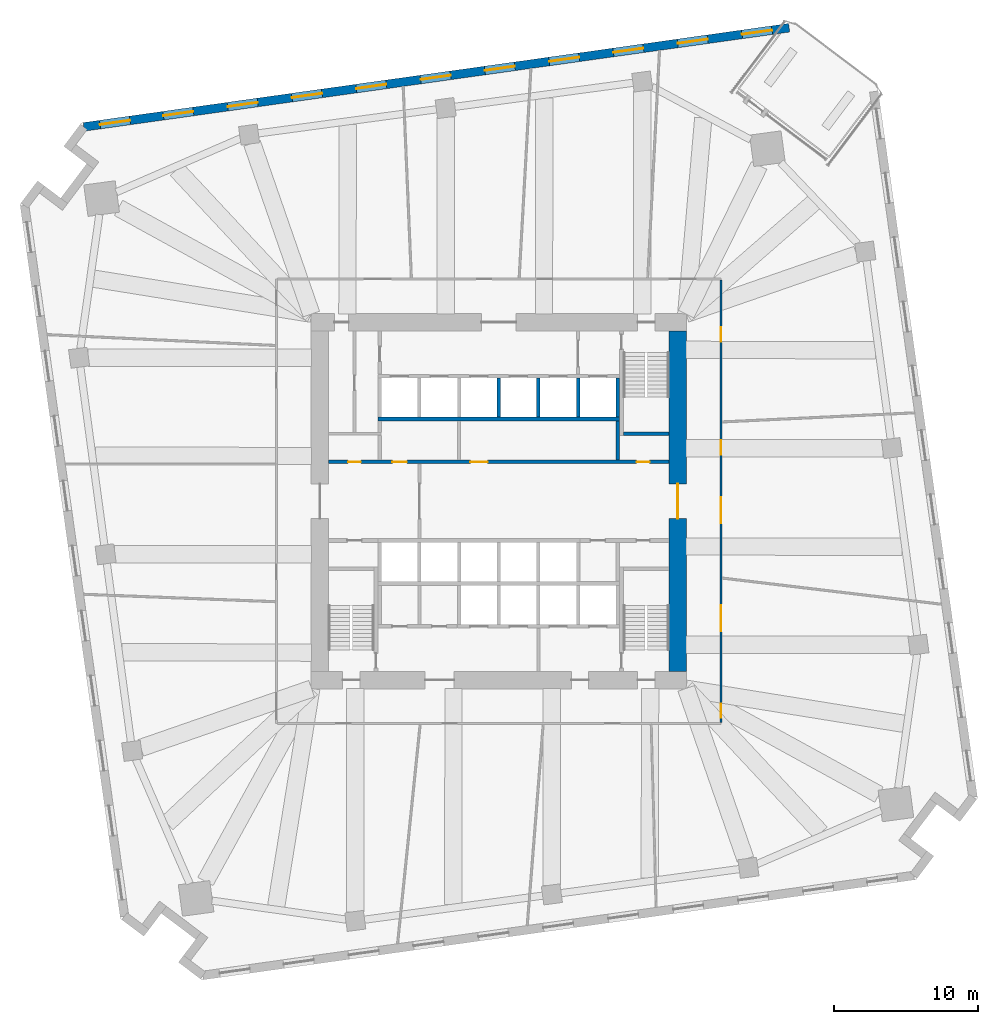
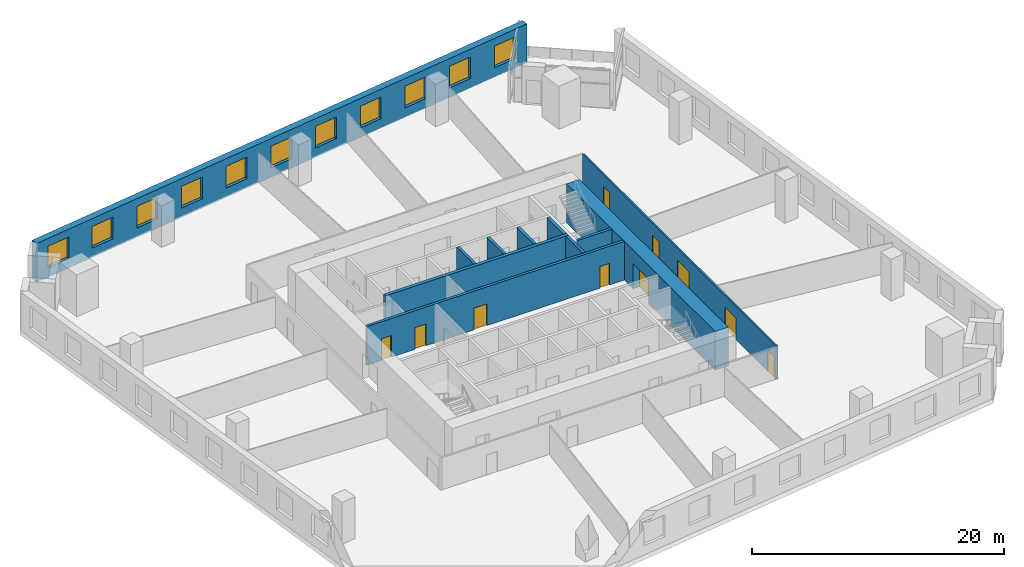
# One storey, part 8 of 12: 11 walls, 11 windows, 10 doors, 21 openings.
"""IFC4 building model written with IfcOpenShell, lengths in metres."""

from ifc_helpers import new_model, si_unit, direction, frame, frame_2d, origin, place, context, subcontext, project, spatial, rectangle, extrude, material, layer, layer_set, type_object, element, fill, save


model = new_model("IFC4")

# Units and contexts
model_context = context("Model", 3, precision=1e-05, world=origin(), true_north=direction((0.0, 1.0)))
body_context = subcontext(model_context, "Body", "Model", "MODEL_VIEW")
ifc_project = project(units=[si_unit("LENGTHUNIT", "METRE"), si_unit("AREAUNIT", "SQUARE_METRE"), si_unit("VOLUMEUNIT", "CUBIC_METRE"), si_unit("PLANEANGLEUNIT", "RADIAN"), si_unit("MASSUNIT", "GRAM", prefix="KILO")], contexts=[model_context])

# Site, building, storey
site_placement = place(None, origin())
site = spatial("IfcSite", under=ifc_project, at=site_placement, CompositionType="ELEMENT")
building_placement = place(site_placement, origin())
building = spatial("IfcBuilding", under=site, at=building_placement, Name="Dilmun Exchange Tower", CompositionType="ELEMENT")
storey_placement = place(building_placement, frame((0.0, 0.0, 51.300048828125)))
storey = spatial("IfcBuildingStorey", under=building, at=storey_placement, Name="L11", CompositionType="ELEMENT", Elevation=51.300048828125)

# Wall, openings, doors
ifc_material_1 = material(Name="Concrete C40/50", Category="concrete")
ifc_layer_1 = layer(ifc_material_1, 0.25)
ifc_layer_set_1 = layer_set([ifc_layer_1], Name="Concrete C40/50")
wall_type_1 = type_object("IfcWallType", Name="Core partition wall 250", PredefinedType="PARTITIONING", material=ifc_layer_set_1)
wall_1_placement = place(storey_placement, frame((-11.794921875, 2.72509765625, 0.0), z_axis=(0.0, 0.0, 1.0), x_axis=(1.0, 0.0, 0.0)))
wall_1 = element("IfcWall", 1, at=wall_1_placement, inside=storey, type_object=wall_type_1, Name="L11 core partition wall 09", PredefinedType="PARTITIONING", context=body_context, shape_type="SweptSolid", body=[
    extrude(rectangle(XDim=23.58984375, YDim=0.25, at=frame_2d((11.794921875, 0.0))), origin(), (0.0, 0.0, 1.0), 3.75),
])
opening_1_placement = place(wall_1_placement, frame((21.344970703125, 0.0, 0.0)))
opening_1 = element("IfcOpeningElement", 2, at=opening_1_placement, cuts=wall_1, Name="Opening CD6", PredefinedType="OPENING", context=body_context, shape_type="SweptSolid", body=[
    extrude(rectangle(XDim=0.89990234375, YDim=2.10009765625, at=frame_2d((0.449951171875, 1.050048828125))), frame((0.0, 0.135009765625, 0.0), z_axis=(0.0, -1.0, 0.0), x_axis=(1.0, 0.0, 0.0)), (0.0, 0.0, 1.0), 0.27001953125),
])
opening_2_placement = place(wall_1_placement, frame((1.344970703125, 0.0, 0.0)))
opening_2 = element("IfcOpeningElement", 3, at=opening_2_placement, cuts=wall_1, Name="Opening CD6", PredefinedType="OPENING", context=body_context, shape_type="SweptSolid", body=[
    extrude(rectangle(XDim=0.89990234375, YDim=2.10009765625, at=frame_2d((0.449951171875, 1.050048828125))), frame((0.0, 0.135009765625, 0.0), z_axis=(0.0, -1.0, 0.0), x_axis=(1.0, 0.0, 0.0)), (0.0, 0.0, 1.0), 0.27001953125),
])
opening_3_placement = place(wall_1_placement, frame((4.419921875, 0.0, 0.0)))
opening_3 = element("IfcOpeningElement", 4, at=opening_3_placement, cuts=wall_1, Name="Opening CD4", PredefinedType="OPENING", context=body_context, shape_type="SweptSolid", body=[
    extrude(rectangle(XDim=1.0, YDim=2.10009765625, at=frame_2d((0.5, 1.050048828125))), frame((0.0, 0.135009765625, 0.0), z_axis=(0.0, -1.0, 0.0), x_axis=(1.0, 0.0, 0.0)), (0.0, 0.0, 1.0), 0.27001953125),
])
opening_4_placement = place(wall_1_placement, frame((9.820068359375, 0.0, 0.0)))
opening_4 = element("IfcOpeningElement", 5, at=opening_4_placement, cuts=wall_1, Name="Opening CD3", PredefinedType="OPENING", context=body_context, shape_type="SweptSolid", body=[
    extrude(rectangle(XDim=1.199951171875, YDim=2.10009765625, at=frame_2d((0.60009765625, 1.050048828125))), frame((0.0, 0.135009765625, 0.0), z_axis=(0.0, -1.0, 0.0), x_axis=(1.0, 0.0, 0.0)), (0.0, 0.0, 1.0), 0.27001953125),
])
ifc_material_2 = material(Name="Fire-rated steel door set", Category="steel")
door_type_1 = type_object("IfcDoorType", Name="Core room door 1000x2100", OperationType="SINGLE_SWING_LEFT", PredefinedType="DOOR", material=ifc_material_2)
door_1_placement = place(opening_3_placement, origin())
door_1 = element("IfcDoor", 6, at=door_1_placement, inside=storey, type_object=door_type_1, Name="L11 door Switch room", OperationType="SINGLE_SWING_RIGHT", OverallHeight=2.10009765625, OverallWidth=1.0, PredefinedType="DOOR", context=body_context, shape_type="SweptSolid", body=[
    extrude(rectangle(XDim=1.0, YDim=2.10009765625, at=frame_2d((0.5, 1.050048828125))), frame((0.0, 0.02490234375, 0.0), z_axis=(0.0, -1.0, 0.0), x_axis=(1.0, 0.0, 0.0)), (0.0, 0.0, 1.0), 0.050048828125),
])
fill(opening_3, door_1)
door_type_2 = type_object("IfcDoorType", Name="Core room door 900x2100", OperationType="SINGLE_SWING_LEFT", PredefinedType="DOOR", material=ifc_material_2)
door_2_placement = place(opening_1_placement, origin())
door_2 = element("IfcDoor", 7, at=door_2_placement, inside=storey, type_object=door_type_2, Name="L11 door Electrical riser", OperationType="SINGLE_SWING_RIGHT", OverallHeight=2.10009765625, OverallWidth=0.89990234375, PredefinedType="DOOR", context=body_context, shape_type="SweptSolid", body=[
    extrude(rectangle(XDim=0.89990234375, YDim=2.10009765625, at=frame_2d((0.449951171875, 1.050048828125))), frame((0.0, 0.02490234375, 0.0), z_axis=(0.0, -1.0, 0.0), x_axis=(1.0, 0.0, 0.0)), (0.0, 0.0, 1.0), 0.050048828125),
])
fill(opening_1, door_2)
door_3_placement = place(opening_2_placement, origin())
door_3 = element("IfcDoor", 8, at=door_3_placement, inside=storey, type_object=door_type_2, Name="L11 door Plumbing riser", OperationType="SINGLE_SWING_RIGHT", OverallHeight=2.10009765625, OverallWidth=0.89990234375, PredefinedType="DOOR", context=body_context, shape_type="SweptSolid", body=[
    extrude(rectangle(XDim=0.89990234375, YDim=2.10009765625, at=frame_2d((0.449951171875, 1.050048828125))), frame((0.0, 0.02490234375, 0.0), z_axis=(0.0, -1.0, 0.0), x_axis=(1.0, 0.0, 0.0)), (0.0, 0.0, 1.0), 0.050048828125),
])
fill(opening_2, door_3)
door_type_3 = type_object("IfcDoorType", Name="Stair exit door 1200x2100", OperationType="SINGLE_SWING_LEFT", PredefinedType="DOOR", material=ifc_material_2)
door_4_placement = place(opening_4_placement, origin())
door_4 = element("IfcDoor", 9, at=door_4_placement, inside=storey, type_object=door_type_3, Name="L11 door Quiet working room", OperationType="SINGLE_SWING_LEFT", OverallHeight=2.10009765625, OverallWidth=1.199951171875, PredefinedType="DOOR", context=body_context, shape_type="SweptSolid", body=[
    extrude(rectangle(XDim=1.199951171875, YDim=2.10009765625, at=frame_2d((0.60009765625, 1.050048828125))), frame((0.0, 0.02490234375, 0.0), z_axis=(0.0, -1.0, 0.0), x_axis=(1.0, 0.0, 0.0)), (0.0, 0.0, 1.0), 0.050048828125),
])
fill(opening_4, door_4)

# Wall
wall_2_placement = place(storey_placement, frame((8.25, 2.85498046875, 0.0), z_axis=(0.0, 0.0, 1.0), x_axis=(0.0, 1.0, 0.0)))
element("IfcWall", 10, at=wall_2_placement, inside=storey, type_object=wall_type_1, Name="L11 core partition wall 12", PredefinedType="PARTITIONING", context=body_context, shape_type="SweptSolid", body=[
    extrude(rectangle(XDim=2.68994140625, YDim=0.25, at=frame_2d((1.344970703125, 0.0))), origin(), (0.0, 0.0, 1.0), 3.75),
])

# Wall, opening, door
ifc_material_3 = material(Name="Concrete C80/95", Category="concrete")
ifc_layer_2 = layer(ifc_material_3, 1.199951171875)
ifc_layer_set_2 = layer_set([ifc_layer_2], Name="Concrete C80/95")
wall_type_2 = type_object("IfcWallType", Name="Core shear wall 1200 Concrete C80/95", PredefinedType="SHEAR", material=ifc_layer_set_2)
wall_3_placement = place(storey_placement, frame((12.39990234375, -11.800048828125, 0.0), z_axis=(0.0, 0.0, 1.0), x_axis=(0.0, 1.0, 0.0)))
wall_3 = element("IfcWall", 11, at=wall_3_placement, inside=storey, type_object=wall_type_2, Name="L11 core shear wall E", PredefinedType="SHEAR", context=body_context, shape_type="SweptSolid", body=[
    extrude(rectangle(XDim=23.60009765625, YDim=1.199951171875, at=frame_2d((11.800048828125, 0.0))), origin(), (0.0, 0.0, 1.0), 3.75),
])
opening_5_placement = place(wall_3_placement, frame((10.60009765625, 0.0, 0.0)))
opening_5 = element("IfcOpeningElement", 12, at=opening_5_placement, cuts=wall_3, Name="Opening CD1", PredefinedType="OPENING", context=body_context, shape_type="SweptSolid", body=[
    extrude(rectangle(XDim=2.39990234375, YDim=2.39990234375, at=frame_2d((1.199951171875, 1.199951171875))), frame((0.0, 0.60986328125, 0.0), z_axis=(0.0, -1.0, 0.0), x_axis=(1.0, 0.0, 0.0)), (0.0, 0.0, 1.0), 1.219970703125),
])
door_type_4 = type_object("IfcDoorType", Name="Core lobby door 2400x2400", OperationType="DOUBLE_DOOR_DOUBLE_SWING", PredefinedType="DOOR", material=ifc_material_2)
door_5_placement = place(opening_5_placement, origin())
door_5 = element("IfcDoor", 13, at=door_5_placement, inside=storey, type_object=door_type_4, Name="L11 door Central lift lobby", OperationType="SINGLE_SWING_LEFT", OverallHeight=2.39990234375, OverallWidth=2.39990234375, PredefinedType="DOOR", context=body_context, shape_type="SweptSolid", body=[
    extrude(rectangle(XDim=2.39990234375, YDim=2.39990234375, at=frame_2d((1.199951171875, 1.199951171875))), frame((0.0, 0.02490234375, 0.0), z_axis=(0.0, -1.0, 0.0), x_axis=(1.0, 0.0, 0.0)), (0.0, 0.0, 1.0), 0.050048828125),
])
fill(opening_5, door_5)

# Wall, openings, doors
ifc_material_4 = material(Name="Corridor wall 150")
ifc_layer_3 = layer(ifc_material_4, 0.14990234375)
ifc_layer_set_3 = layer_set([ifc_layer_3], Name="Corridor wall 150")
wall_type_3 = type_object("IfcWallType", Name="Corridor wall 150", PredefinedType="PARTITIONING", material=ifc_layer_set_3)
wall_4_placement = place(storey_placement, frame((15.39990234375, -15.324951171875, 0.0), z_axis=(0.0, 0.0, 1.0), x_axis=(0.0, 1.0, 0.0)))
wall_4 = element("IfcWall", 14, at=wall_4_placement, inside=storey, type_object=wall_type_3, Name="Corridor wall", PredefinedType="PARTITIONING", context=body_context, shape_type="SweptSolid", body=[
    extrude(rectangle(XDim=30.64990234375, YDim=0.14990234375, at=frame_2d((15.324951171875, 0.0))), origin(), (0.0, 0.0, 1.0), 3.25),
])
opening_6_placement = place(wall_4_placement, frame((26.3681640625, 0.0, 0.0)))
opening_6 = element("IfcOpeningElement", 15, at=opening_6_placement, cuts=wall_4, Name="Opening TF11-D12", PredefinedType="OPENING", context=body_context, shape_type="SweptSolid", body=[
    extrude(rectangle(XDim=1.0, YDim=2.10009765625, at=frame_2d((0.5, 1.050048828125))), frame((0.0, 0.0849609375, 0.0), z_axis=(0.0, -1.0, 0.0), x_axis=(1.0, 0.0, 0.0)), (0.0, 0.0, 1.0), 0.169921875),
])
opening_7_placement = place(wall_4_placement, frame((6.300048828125, 0.0, 0.0)))
opening_7 = element("IfcOpeningElement", 16, at=opening_7_placement, cuts=wall_4, Name="Opening TF11-D13", PredefinedType="OPENING", context=body_context, shape_type="SweptSolid", body=[
    extrude(rectangle(XDim=1.800048828125, YDim=2.10009765625, at=frame_2d((0.89990234375, 1.050048828125))), frame((0.0, 0.0849609375, 0.0), z_axis=(0.0, -1.0, 0.0), x_axis=(1.0, 0.0, 0.0)), (0.0, 0.0, 1.0), 0.169921875),
])
opening_8_placement = place(wall_4_placement, frame((0.300048828125, 0.0, 0.0)))
opening_8 = element("IfcOpeningElement", 17, at=opening_8_placement, cuts=wall_4, Name="Opening TF11-D14", PredefinedType="OPENING", context=body_context, shape_type="SweptSolid", body=[
    extrude(rectangle(XDim=1.0, YDim=2.10009765625, at=frame_2d((0.5, 1.050048828125))), frame((0.0, 0.0849609375, 0.0), z_axis=(0.0, -1.0, 0.0), x_axis=(1.0, 0.0, 0.0)), (0.0, 0.0, 1.0), 0.169921875),
])
opening_9_placement = place(wall_4_placement, frame((13.80615234375, 0.0, 0.0)))
opening_9 = element("IfcOpeningElement", 18, at=opening_9_placement, cuts=wall_4, Name="Opening TF11-D15", PredefinedType="OPENING", context=body_context, shape_type="SweptSolid", body=[
    extrude(rectangle(XDim=1.800048828125, YDim=2.10009765625, at=frame_2d((0.89990234375, 1.050048828125))), frame((0.0, 0.0849609375, 0.0), z_axis=(0.0, -1.0, 0.0), x_axis=(1.0, 0.0, 0.0)), (0.0, 0.0, 1.0), 0.169921875),
])
opening_10_placement = place(wall_4_placement, frame((18.55615234375, 0.0, 0.0)))
opening_10 = element("IfcOpeningElement", 19, at=opening_10_placement, cuts=wall_4, Name="Opening TF11-D16", PredefinedType="OPENING", context=body_context, shape_type="SweptSolid", body=[
    extrude(rectangle(XDim=1.0, YDim=2.10009765625, at=frame_2d((0.5, 1.050048828125))), frame((0.0, 0.0849609375, 0.0), z_axis=(0.0, -1.0, 0.0), x_axis=(1.0, 0.0, 0.0)), (0.0, 0.0, 1.0), 0.169921875),
])
ifc_material_5 = material(Name="Fire door 1000 x 2100")
door_type_5 = type_object("IfcDoorType", Name="Fire door 1000 x 2100", OperationType="NOTDEFINED", PredefinedType="DOOR", material=ifc_material_5)
door_6_placement = place(opening_6_placement, frame((1.0, 0.0, 0.0), z_axis=(0.0, 0.0, 1.0), x_axis=(-1.0, 0.0, 0.0)))
door_6 = element("IfcDoor", 20, at=door_6_placement, inside=storey, type_object=door_type_5, Name="Door TF11-D12", OperationType="SINGLE_SWING_LEFT", OverallHeight=2.10009765625, OverallWidth=1.0, PredefinedType="DOOR", context=body_context, shape_type="SweptSolid", body=[
    extrude(rectangle(XDim=1.0, YDim=2.10009765625, at=frame_2d((0.5, 1.050048828125))), frame((0.0, 0.02490234375, 0.0), z_axis=(0.0, -1.0, 0.0), x_axis=(1.0, 0.0, 0.0)), (0.0, 0.0, 1.0), 0.050048828125),
])
fill(opening_6, door_6)
door_7_placement = place(opening_8_placement, frame((1.0, 0.0, 0.0), z_axis=(0.0, 0.0, 1.0), x_axis=(-1.0, 0.0, 0.0)))
door_7 = element("IfcDoor", 21, at=door_7_placement, inside=storey, type_object=door_type_5, Name="Door TF11-D14", OperationType="SINGLE_SWING_RIGHT", OverallHeight=2.10009765625, OverallWidth=1.0, PredefinedType="DOOR", context=body_context, shape_type="SweptSolid", body=[
    extrude(rectangle(XDim=1.0, YDim=2.10009765625, at=frame_2d((0.5, 1.050048828125))), frame((0.0, 0.02490234375, 0.0), z_axis=(0.0, -1.0, 0.0), x_axis=(1.0, 0.0, 0.0)), (0.0, 0.0, 1.0), 0.050048828125),
])
fill(opening_8, door_7)
door_8_placement = place(opening_10_placement, frame((1.0, 0.0, 0.0), z_axis=(0.0, 0.0, 1.0), x_axis=(-1.0, 0.0, 0.0)))
door_8 = element("IfcDoor", 22, at=door_8_placement, inside=storey, type_object=door_type_5, Name="Door TF11-D16", OperationType="SINGLE_SWING_LEFT", OverallHeight=2.10009765625, OverallWidth=1.0, PredefinedType="DOOR", context=body_context, shape_type="SweptSolid", body=[
    extrude(rectangle(XDim=1.0, YDim=2.10009765625, at=frame_2d((0.5, 1.050048828125))), frame((0.0, 0.02490234375, 0.0), z_axis=(0.0, -1.0, 0.0), x_axis=(1.0, 0.0, 0.0)), (0.0, 0.0, 1.0), 0.050048828125),
])
fill(opening_10, door_8)
ifc_material_6 = material(Name="Fire door pair 1800 x 2100")
door_type_6 = type_object("IfcDoorType", Name="Fire door pair 1800 x 2100", OperationType="NOTDEFINED", PredefinedType="DOOR", material=ifc_material_6)
door_9_placement = place(opening_7_placement, frame((1.800048828125, 0.0, 0.0), z_axis=(0.0, 0.0, 1.0), x_axis=(-1.0, 0.0, 0.0)))
door_9 = element("IfcDoor", 23, at=door_9_placement, inside=storey, type_object=door_type_6, Name="Door TF11-D13", OperationType="DOUBLE_DOOR_SINGLE_SWING", OverallHeight=2.10009765625, OverallWidth=1.800048828125, PredefinedType="DOOR", context=body_context, shape_type="SweptSolid", body=[
    extrude(rectangle(XDim=1.800048828125, YDim=2.10009765625, at=frame_2d((0.89990234375, 1.050048828125))), frame((0.0, 0.02490234375, 0.0), z_axis=(0.0, -1.0, 0.0), x_axis=(1.0, 0.0, 0.0)), (0.0, 0.0, 1.0), 0.050048828125),
])
fill(opening_7, door_9)
door_10_placement = place(opening_9_placement, frame((1.800048828125, 0.0, 0.0), z_axis=(0.0, 0.0, 1.0), x_axis=(-1.0, 0.0, 0.0)))
door_10 = element("IfcDoor", 24, at=door_10_placement, inside=storey, type_object=door_type_6, Name="Door TF11-D15", OperationType="DOUBLE_DOOR_SINGLE_SWING", OverallHeight=2.10009765625, OverallWidth=1.800048828125, PredefinedType="DOOR", context=body_context, shape_type="SweptSolid", body=[
    extrude(rectangle(XDim=1.800048828125, YDim=2.10009765625, at=frame_2d((0.89990234375, 1.050048828125))), frame((0.0, 0.02490234375, 0.0), z_axis=(0.0, -1.0, 0.0), x_axis=(1.0, 0.0, 0.0)), (0.0, 0.0, 1.0), 0.050048828125),
])
fill(opening_9, door_10)

# Walls
ifc_layer_4 = layer(ifc_material_1, 0.300048828125)
ifc_layer_set_4 = layer_set([ifc_layer_4], Name="Concrete C40/50")
wall_type_4 = type_object("IfcWallType", Name="Lift shaft shared wall 300", PredefinedType="SOLIDWALL", material=ifc_layer_set_4)
wall_5_placement = place(storey_placement, frame((-8.375, 5.699951171875, 0.0), z_axis=(0.0, 0.0, 1.0), x_axis=(1.0, 0.0, 0.0)))
element("IfcWall", 25, at=wall_5_placement, inside=storey, type_object=wall_type_4, Name="L11 lift shaft rear wall N", PredefinedType="SOLIDWALL", context=body_context, shape_type="SweptSolid", body=[
    extrude(rectangle(XDim=16.75, YDim=0.300048828125, at=frame_2d((8.375, 0.0))), origin(), (0.0, 0.0, 1.0), 3.75),
])
ifc_layer_5 = layer(ifc_material_1, 0.25)
ifc_layer_set_5 = layer_set([ifc_layer_5], Name="Concrete C40/50")
wall_type_5 = type_object("IfcWallType", Name="Lift shaft wall 250", PredefinedType="SOLIDWALL", material=ifc_layer_set_5)
for number, where, z_axis, x_axis, name in (
    (26, (0.0, 5.85009765625, 0.0), (0.0, 0.0, 1.0), (0.0, 1.0, 0.0), "L11 lift shaft divider N23"),
    (27, (2.75, 5.85009765625, 0.0), (0.0, 0.0, 1.0), (0.0, 1.0, 0.0), "L11 lift shaft divider N24"),
    (28, (5.5, 5.85009765625, 0.0), (0.0, 0.0, 1.0), (0.0, 1.0, 0.0), "L11 lift shaft divider N25"),
    (29, (8.25, 5.85009765625, 0.0), (0.0, 0.0, 1.0), (0.0, 1.0, 0.0), "L11 lift shaft divider N26"),
):
    element("IfcWall", number, at=place(storey_placement, frame(where, z_axis=z_axis, x_axis=x_axis)), inside=storey, type_object=wall_type_5, Name=name, PredefinedType="SOLIDWALL", context=body_context, shape_type="SweptSolid", body=[
        extrude(rectangle(XDim=2.699951171875, YDim=0.25, at=frame_2d((1.35009765625, 0.0))), origin(), (0.0, 0.0, 1.0), 3.75),
    ])

# Wall, openings, windows
ifc_material_7 = material(Name="Precast concrete C50/60", Category="concrete")
ifc_layer_6 = layer(ifc_material_7, 0.60009765625)
ifc_layer_set_6 = layer_set([ifc_layer_6], Name="Precast concrete C50/60")
wall_type_6 = type_object("IfcWallType", Name="Precast stone-clad wall 600", PredefinedType="STANDARD", material=ifc_layer_set_6)
wall_6_placement = place(storey_placement, frame((20.128173828125, 32.82080078125, 0.0), z_axis=(0.0, 0.0, 1.0), x_axis=(-0.990267943129, -0.139173994734, 0.0)))
wall_6 = element("IfcWall", 30, at=wall_6_placement, inside=storey, type_object=wall_type_6, Name="Facade wall L11-03", PredefinedType="STANDARD", context=body_context, shape_type="SweptSolid", body=[
    extrude(rectangle(XDim=49.375732421875, YDim=0.60009765625, at=frame_2d((24.68798828125, 0.0))), origin(), (0.0, 0.0, 1.0), 3.75),
])
opening_11_placement = place(wall_6_placement, frame((1.199951171875, 0.0, 0.89990234375)))
opening_11 = element("IfcOpeningElement", 31, at=opening_11_placement, cuts=wall_6, Name="Opening W210-210", PredefinedType="OPENING", context=body_context, shape_type="SweptSolid", body=[
    extrude(rectangle(XDim=2.10009765625, YDim=2.10009765625, at=frame_2d((1.050048828125, 1.050048828125))), frame((0.0, 0.31005859375, 0.0), z_axis=(0.0, -1.0, 0.0), x_axis=(1.0, 0.0, 0.0)), (0.0, 0.0, 1.0), 0.6201171875),
])
opening_12_placement = place(wall_6_placement, frame((5.699951171875, 0.0, 0.89990234375)))
opening_12 = element("IfcOpeningElement", 32, at=opening_12_placement, cuts=wall_6, Name="Opening W210-210", PredefinedType="OPENING", context=body_context, shape_type="SweptSolid", body=[
    extrude(rectangle(XDim=2.10009765625, YDim=2.10009765625, at=frame_2d((1.050048828125, 1.050048828125))), frame((0.0, 0.31005859375, 0.0), z_axis=(0.0, -1.0, 0.0), x_axis=(1.0, 0.0, 0.0)), (0.0, 0.0, 1.0), 0.6201171875),
])
opening_13_placement = place(wall_6_placement, frame((10.199951171875, 0.0, 0.89990234375)))
opening_13 = element("IfcOpeningElement", 33, at=opening_13_placement, cuts=wall_6, Name="Opening W210-210", PredefinedType="OPENING", context=body_context, shape_type="SweptSolid", body=[
    extrude(rectangle(XDim=2.10009765625, YDim=2.10009765625, at=frame_2d((1.050048828125, 1.050048828125))), frame((0.0, 0.31005859375, 0.0), z_axis=(0.0, -1.0, 0.0), x_axis=(1.0, 0.0, 0.0)), (0.0, 0.0, 1.0), 0.6201171875),
])
opening_14_placement = place(wall_6_placement, frame((14.699951171875, 0.0, 0.89990234375)))
opening_14 = element("IfcOpeningElement", 34, at=opening_14_placement, cuts=wall_6, Name="Opening W210-210", PredefinedType="OPENING", context=body_context, shape_type="SweptSolid", body=[
    extrude(rectangle(XDim=2.10009765625, YDim=2.10009765625, at=frame_2d((1.050048828125, 1.050048828125))), frame((0.0, 0.31005859375, 0.0), z_axis=(0.0, -1.0, 0.0), x_axis=(1.0, 0.0, 0.0)), (0.0, 0.0, 1.0), 0.6201171875),
])
opening_15_placement = place(wall_6_placement, frame((19.199951171875, 0.0, 0.89990234375)))
opening_15 = element("IfcOpeningElement", 35, at=opening_15_placement, cuts=wall_6, Name="Opening W210-210", PredefinedType="OPENING", context=body_context, shape_type="SweptSolid", body=[
    extrude(rectangle(XDim=2.10009765625, YDim=2.10009765625, at=frame_2d((1.050048828125, 1.050048828125))), frame((0.0, 0.31005859375, 0.0), z_axis=(0.0, -1.0, 0.0), x_axis=(1.0, 0.0, 0.0)), (0.0, 0.0, 1.0), 0.6201171875),
])
opening_16_placement = place(wall_6_placement, frame((23.699951171875, 0.0, 0.89990234375)))
opening_16 = element("IfcOpeningElement", 36, at=opening_16_placement, cuts=wall_6, Name="Opening W210-210", PredefinedType="OPENING", context=body_context, shape_type="SweptSolid", body=[
    extrude(rectangle(XDim=2.10009765625, YDim=2.10009765625, at=frame_2d((1.050048828125, 1.050048828125))), frame((0.0, 0.31005859375, 0.0), z_axis=(0.0, -1.0, 0.0), x_axis=(1.0, 0.0, 0.0)), (0.0, 0.0, 1.0), 0.6201171875),
])
opening_17_placement = place(wall_6_placement, frame((28.199951171875, 0.0, 0.89990234375)))
opening_17 = element("IfcOpeningElement", 37, at=opening_17_placement, cuts=wall_6, Name="Opening W210-210", PredefinedType="OPENING", context=body_context, shape_type="SweptSolid", body=[
    extrude(rectangle(XDim=2.10009765625, YDim=2.10009765625, at=frame_2d((1.050048828125, 1.050048828125))), frame((0.0, 0.31005859375, 0.0), z_axis=(0.0, -1.0, 0.0), x_axis=(1.0, 0.0, 0.0)), (0.0, 0.0, 1.0), 0.6201171875),
])
opening_18_placement = place(wall_6_placement, frame((32.699951171875, 0.0, 0.89990234375)))
opening_18 = element("IfcOpeningElement", 38, at=opening_18_placement, cuts=wall_6, Name="Opening W210-210", PredefinedType="OPENING", context=body_context, shape_type="SweptSolid", body=[
    extrude(rectangle(XDim=2.10009765625, YDim=2.10009765625, at=frame_2d((1.050048828125, 1.050048828125))), frame((0.0, 0.31005859375, 0.0), z_axis=(0.0, -1.0, 0.0), x_axis=(1.0, 0.0, 0.0)), (0.0, 0.0, 1.0), 0.6201171875),
])
opening_19_placement = place(wall_6_placement, frame((37.199951171875, 0.0, 0.89990234375)))
opening_19 = element("IfcOpeningElement", 39, at=opening_19_placement, cuts=wall_6, Name="Opening W210-210", PredefinedType="OPENING", context=body_context, shape_type="SweptSolid", body=[
    extrude(rectangle(XDim=2.10009765625, YDim=2.10009765625, at=frame_2d((1.050048828125, 1.050048828125))), frame((0.0, 0.31005859375, 0.0), z_axis=(0.0, -1.0, 0.0), x_axis=(1.0, 0.0, 0.0)), (0.0, 0.0, 1.0), 0.6201171875),
])
opening_20_placement = place(wall_6_placement, frame((41.699951171875, 0.0, 0.89990234375)))
opening_20 = element("IfcOpeningElement", 40, at=opening_20_placement, cuts=wall_6, Name="Opening W210-210", PredefinedType="OPENING", context=body_context, shape_type="SweptSolid", body=[
    extrude(rectangle(XDim=2.10009765625, YDim=2.10009765625, at=frame_2d((1.050048828125, 1.050048828125))), frame((0.0, 0.31005859375, 0.0), z_axis=(0.0, -1.0, 0.0), x_axis=(1.0, 0.0, 0.0)), (0.0, 0.0, 1.0), 0.6201171875),
])
opening_21_placement = place(wall_6_placement, frame((46.137939453125, 0.0, 0.89990234375)))
opening_21 = element("IfcOpeningElement", 41, at=opening_21_placement, cuts=wall_6, Name="Opening W210-210", PredefinedType="OPENING", context=body_context, shape_type="SweptSolid", body=[
    extrude(rectangle(XDim=2.10009765625, YDim=2.10009765625, at=frame_2d((1.050048828125, 1.050048828125))), frame((0.0, 0.31005859375, 0.0), z_axis=(0.0, -1.0, 0.0), x_axis=(1.0, 0.0, 0.0)), (0.0, 0.0, 1.0), 0.6201171875),
])
ifc_material_8 = material(Name="Clear low-emissivity glass in aluminium frame", Category="aluminium")
window_type = type_object("IfcWindowType", Name="Punched window 2100 x 2100", PartitioningType="DOUBLE_PANEL_VERTICAL", PredefinedType="WINDOW", material=ifc_material_8)
window_1_placement = place(opening_11_placement, origin())
window_1 = element("IfcWindow", 42, at=window_1_placement, inside=storey, type_object=window_type, Name="Window 4.1", OverallHeight=2.10009765625, OverallWidth=2.10009765625, PartitioningType="SINGLE_PANEL", PredefinedType="WINDOW", context=body_context, shape_type="SweptSolid", body=[
    extrude(rectangle(XDim=2.10009765625, YDim=2.10009765625, at=frame_2d((1.050048828125, 1.050048828125))), frame((0.0, 0.030029296875, 0.0), z_axis=(0.0, -1.0, 0.0), x_axis=(1.0, 0.0, 0.0)), (0.0, 0.0, 1.0), 0.06005859375),
])
fill(opening_11, window_1)
window_2_placement = place(opening_12_placement, origin())
window_2 = element("IfcWindow", 43, at=window_2_placement, inside=storey, type_object=window_type, Name="Window 4.2", OverallHeight=2.10009765625, OverallWidth=2.10009765625, PartitioningType="SINGLE_PANEL", PredefinedType="WINDOW", context=body_context, shape_type="SweptSolid", body=[
    extrude(rectangle(XDim=2.10009765625, YDim=2.10009765625, at=frame_2d((1.050048828125, 1.050048828125))), frame((0.0, 0.030029296875, 0.0), z_axis=(0.0, -1.0, 0.0), x_axis=(1.0, 0.0, 0.0)), (0.0, 0.0, 1.0), 0.06005859375),
])
fill(opening_12, window_2)
window_3_placement = place(opening_13_placement, origin())
window_3 = element("IfcWindow", 44, at=window_3_placement, inside=storey, type_object=window_type, Name="Window 4.3", OverallHeight=2.10009765625, OverallWidth=2.10009765625, PartitioningType="SINGLE_PANEL", PredefinedType="WINDOW", context=body_context, shape_type="SweptSolid", body=[
    extrude(rectangle(XDim=2.10009765625, YDim=2.10009765625, at=frame_2d((1.050048828125, 1.050048828125))), frame((0.0, 0.030029296875, 0.0), z_axis=(0.0, -1.0, 0.0), x_axis=(1.0, 0.0, 0.0)), (0.0, 0.0, 1.0), 0.06005859375),
])
fill(opening_13, window_3)
window_4_placement = place(opening_14_placement, origin())
window_4 = element("IfcWindow", 45, at=window_4_placement, inside=storey, type_object=window_type, Name="Window 4.4", OverallHeight=2.10009765625, OverallWidth=2.10009765625, PartitioningType="SINGLE_PANEL", PredefinedType="WINDOW", context=body_context, shape_type="SweptSolid", body=[
    extrude(rectangle(XDim=2.10009765625, YDim=2.10009765625, at=frame_2d((1.050048828125, 1.050048828125))), frame((0.0, 0.030029296875, 0.0), z_axis=(0.0, -1.0, 0.0), x_axis=(1.0, 0.0, 0.0)), (0.0, 0.0, 1.0), 0.06005859375),
])
fill(opening_14, window_4)
window_5_placement = place(opening_15_placement, origin())
window_5 = element("IfcWindow", 46, at=window_5_placement, inside=storey, type_object=window_type, Name="Window 4.5", OverallHeight=2.10009765625, OverallWidth=2.10009765625, PartitioningType="SINGLE_PANEL", PredefinedType="WINDOW", context=body_context, shape_type="SweptSolid", body=[
    extrude(rectangle(XDim=2.10009765625, YDim=2.10009765625, at=frame_2d((1.050048828125, 1.050048828125))), frame((0.0, 0.030029296875, 0.0), z_axis=(0.0, -1.0, 0.0), x_axis=(1.0, 0.0, 0.0)), (0.0, 0.0, 1.0), 0.06005859375),
])
fill(opening_15, window_5)
window_6_placement = place(opening_16_placement, origin())
window_6 = element("IfcWindow", 47, at=window_6_placement, inside=storey, type_object=window_type, Name="Window 4.6", OverallHeight=2.10009765625, OverallWidth=2.10009765625, PartitioningType="SINGLE_PANEL", PredefinedType="WINDOW", context=body_context, shape_type="SweptSolid", body=[
    extrude(rectangle(XDim=2.10009765625, YDim=2.10009765625, at=frame_2d((1.050048828125, 1.050048828125))), frame((0.0, 0.030029296875, 0.0), z_axis=(0.0, -1.0, 0.0), x_axis=(1.0, 0.0, 0.0)), (0.0, 0.0, 1.0), 0.06005859375),
])
fill(opening_16, window_6)
window_7_placement = place(opening_17_placement, origin())
window_7 = element("IfcWindow", 48, at=window_7_placement, inside=storey, type_object=window_type, Name="Window 4.7", OverallHeight=2.10009765625, OverallWidth=2.10009765625, PartitioningType="SINGLE_PANEL", PredefinedType="WINDOW", context=body_context, shape_type="SweptSolid", body=[
    extrude(rectangle(XDim=2.10009765625, YDim=2.10009765625, at=frame_2d((1.050048828125, 1.050048828125))), frame((0.0, 0.030029296875, 0.0), z_axis=(0.0, -1.0, 0.0), x_axis=(1.0, 0.0, 0.0)), (0.0, 0.0, 1.0), 0.06005859375),
])
fill(opening_17, window_7)
window_8_placement = place(opening_18_placement, origin())
window_8 = element("IfcWindow", 49, at=window_8_placement, inside=storey, type_object=window_type, Name="Window 4.8", OverallHeight=2.10009765625, OverallWidth=2.10009765625, PartitioningType="SINGLE_PANEL", PredefinedType="WINDOW", context=body_context, shape_type="SweptSolid", body=[
    extrude(rectangle(XDim=2.10009765625, YDim=2.10009765625, at=frame_2d((1.050048828125, 1.050048828125))), frame((0.0, 0.030029296875, 0.0), z_axis=(0.0, -1.0, 0.0), x_axis=(1.0, 0.0, 0.0)), (0.0, 0.0, 1.0), 0.06005859375),
])
fill(opening_18, window_8)
window_9_placement = place(opening_19_placement, origin())
window_9 = element("IfcWindow", 50, at=window_9_placement, inside=storey, type_object=window_type, Name="Window 4.9", OverallHeight=2.10009765625, OverallWidth=2.10009765625, PartitioningType="SINGLE_PANEL", PredefinedType="WINDOW", context=body_context, shape_type="SweptSolid", body=[
    extrude(rectangle(XDim=2.10009765625, YDim=2.10009765625, at=frame_2d((1.050048828125, 1.050048828125))), frame((0.0, 0.030029296875, 0.0), z_axis=(0.0, -1.0, 0.0), x_axis=(1.0, 0.0, 0.0)), (0.0, 0.0, 1.0), 0.06005859375),
])
fill(opening_19, window_9)
window_10_placement = place(opening_20_placement, origin())
window_10 = element("IfcWindow", 51, at=window_10_placement, inside=storey, type_object=window_type, Name="Window 4.10", OverallHeight=2.10009765625, OverallWidth=2.10009765625, PartitioningType="SINGLE_PANEL", PredefinedType="WINDOW", context=body_context, shape_type="SweptSolid", body=[
    extrude(rectangle(XDim=2.10009765625, YDim=2.10009765625, at=frame_2d((1.050048828125, 1.050048828125))), frame((0.0, 0.030029296875, 0.0), z_axis=(0.0, -1.0, 0.0), x_axis=(1.0, 0.0, 0.0)), (0.0, 0.0, 1.0), 0.06005859375),
])
fill(opening_20, window_10)
window_11_placement = place(opening_21_placement, origin())
window_11 = element("IfcWindow", 52, at=window_11_placement, inside=storey, type_object=window_type, Name="Window 4.11", OverallHeight=2.10009765625, OverallWidth=2.10009765625, PartitioningType="SINGLE_PANEL", PredefinedType="WINDOW", context=body_context, shape_type="SweptSolid", body=[
    extrude(rectangle(XDim=2.10009765625, YDim=2.10009765625, at=frame_2d((1.050048828125, 1.050048828125))), frame((0.0, 0.030029296875, 0.0), z_axis=(0.0, -1.0, 0.0), x_axis=(1.0, 0.0, 0.0)), (0.0, 0.0, 1.0), 0.06005859375),
])
fill(opening_21, window_11)

# Wall
ifc_layer_7 = layer(ifc_material_1, 0.25)
ifc_layer_set_7 = layer_set([ifc_layer_7], Name="Concrete C40/50")
wall_type_7 = type_object("IfcWallType", Name="Stair end wall 250", PredefinedType="SOLIDWALL", material=ifc_layer_set_7)
wall_7_placement = place(storey_placement, frame((8.64990234375, 4.675048828125, 0.0), z_axis=(0.0, 0.0, 1.0), x_axis=(1.0, 0.0, 0.0)))
element("IfcWall", 53, at=wall_7_placement, inside=storey, type_object=wall_type_7, Name="L11 ST1 far wall", PredefinedType="SOLIDWALL", context=body_context, shape_type="SweptSolid", body=[
    extrude(rectangle(XDim=3.150146484375, YDim=0.25, at=frame_2d((1.5751953125, 0.0))), origin(), (0.0, 0.0, 1.0), 3.75),
])

save(model, "model.ifc")
